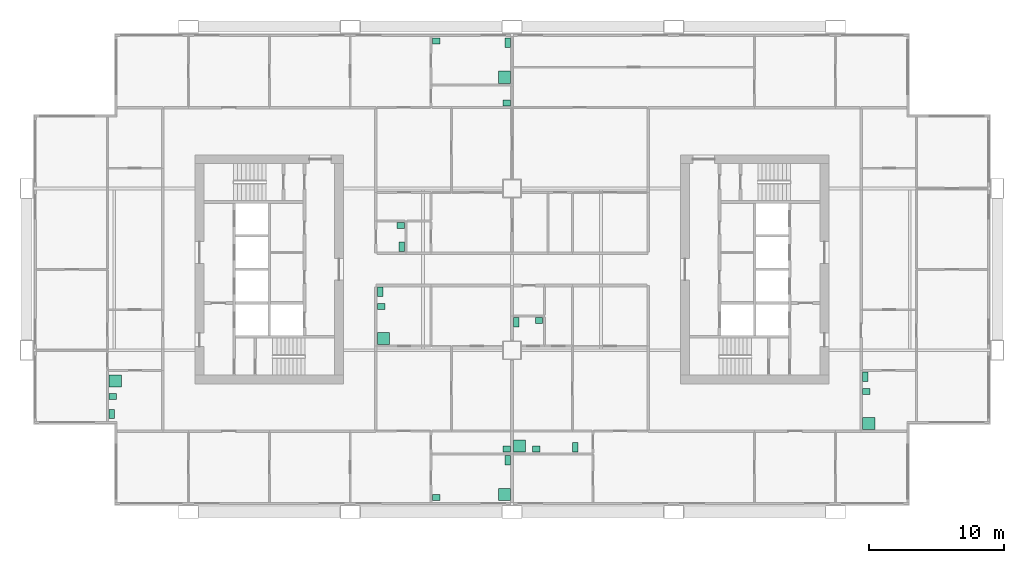
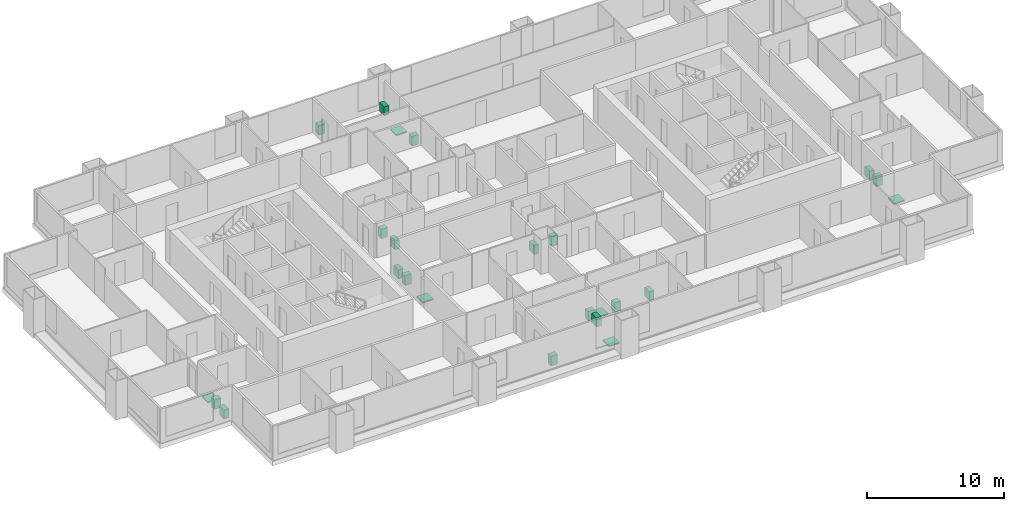
# One storey, part 11 of 11: 24 sanitary terminals.
"""IFC4 building model written with IfcOpenShell, lengths in metres."""

from ifc_helpers import new_model, si_unit, direction, frame, origin, origin_2d, place, context, subcontext, project, spatial, rectangle, extrude, material, type_object, element, save


model = new_model("IFC4")

# Units and contexts
model_context = context("Model", 3, precision=1e-05, world=origin(), true_north=direction((0.0, 1.0)))
body_context = subcontext(model_context, "Body", "Model", "MODEL_VIEW")
ifc_project = project(units=[si_unit("LENGTHUNIT", "METRE"), si_unit("AREAUNIT", "SQUARE_METRE"), si_unit("VOLUMEUNIT", "CUBIC_METRE"), si_unit("PLANEANGLEUNIT", "RADIAN"), si_unit("MASSUNIT", "GRAM", prefix="KILO")], contexts=[model_context])

# Site, building, storey
site_placement = place(None, origin())
site = spatial("IfcSite", under=ifc_project, at=site_placement, CompositionType="ELEMENT")
building_placement = place(site_placement, origin())
building = spatial("IfcBuilding", under=site, at=building_placement, Name="Kitamizu Gate Tower and Museum", CompositionType="ELEMENT")
storey_placement = place(building_placement, frame((0.0, 0.0, 100.050048828125)))
storey = spatial("IfcBuildingStorey", under=building, at=storey_placement, Name="L25", CompositionType="ELEMENT", Elevation=100.050048828125)

# Sanitary terminals
ifc_material_1 = material(Name="Acrylic")
sanitary_terminal_type_1 = type_object("IfcSanitaryTerminalType", Name="Shower tray", PredefinedType="SHOWER", material=ifc_material_1)
for number, where, z_axis, x_axis, name in (
    (1, (35.429931640625, 13.2900390625, 0.0009765625), (0.0, 0.0, 1.0), (1.0, 0.0, 0.0), "Shower tray En-suite bathroom and WC 25A"),
    (2, (26.469970703125, 24.8701171875, 0.0009765625), (0.0, 0.0, 1.0), (1.0, 0.0, 0.0), "Shower tray En-suite bathroom 25A"),
    (3, (6.570068359375, 21.72998046875, 0.0009765625), (0.0, 0.0, 1.0), (1.0, 0.0, 0.0), "Shower tray En-suite bathroom and WC 25B"),
    (4, (36.570068359375, 16.889892578125, 0.0009765625), (0.0, 0.0, 1.0), (1.0, 0.0, 0.0), "Shower tray En-suite bathroom 25C"),
    (5, (62.469970703125, 18.570068359375, 0.0009765625), (0.0, 0.0, 1.0), (1.0, 0.0, 0.0), "Shower tray En-suite bathroom and WC 25D"),
    (6, (35.429931640625, 44.25, 0.0009765625), (0.0, 0.0, 1.0), (1.0, 0.0, 0.0), "Shower tray En-suite bathroom 25E"),
):
    element("IfcSanitaryTerminal", number, at=place(storey_placement, frame(where, z_axis=z_axis, x_axis=x_axis)), inside=storey, type_object=sanitary_terminal_type_1, Name=name, PredefinedType="SHOWER", context=body_context, shape_type="SweptSolid", body=[
        extrude(rectangle(XDim=0.89990234375, YDim=0.89990234375, at=origin_2d()), origin(), (0.0, 0.0, 1.0), 0.10009765625),
    ])
ifc_material_2 = material(Name="Vitreous china")
sanitary_terminal_type_2 = type_object("IfcSanitaryTerminalType", Name="Wash hand basin", PredefinedType="WASHHANDBASIN", material=ifc_material_2)
for number, where, z_axis, x_axis, name in (
    (7, (30.39501953125, 13.06494140625, 0.0009765625), (0.0, 0.0, 1.0), (1.0, 0.0, 0.0), "Wash hand basin En-suite bathroom and WC 25A"),
    (8, (35.60498046875, 16.6650390625, 0.0009765625), (0.0, 0.0, 1.0), (1.0, 0.0, 0.0), "Wash hand basin Wash room 25A"),
    (9, (26.294921875, 27.2548828125, 0.0009765625), (0.0, 0.0, 1.0), (1.0, 0.0, 0.0), "Wash hand basin En-suite bathroom 25A"),
    (10, (6.39501953125, 20.554931640625, 0.0009765625), (0.0, 0.0, 1.0), (1.0, 0.0, 0.0), "Wash hand basin En-suite bathroom and WC 25B"),
    (11, (37.794921875, 16.6650390625, 0.0009765625), (0.0, 0.0, 1.0), (1.0, 0.0, 0.0), "Wash hand basin En-suite bathroom 25C"),
    (12, (38.0048828125, 26.205078125, 0.0009765625), (0.0, 0.0, 1.0), (1.0, 0.0, 0.0), "Wash hand basin WC 25C"),
    (13, (62.294921875, 20.955078125, 0.0009765625), (0.0, 0.0, 1.0), (1.0, 0.0, 0.0), "Wash hand basin En-suite bathroom and WC 25D"),
    (14, (30.39501953125, 46.93505859375, 0.0009765625), (0.0, 0.0, 1.0), (1.0, 0.0, 0.0), "Wash hand basin En-suite bathroom 25E"),
    (15, (35.60498046875, 42.344970703125, 0.0009765625), (0.0, 0.0, 1.0), (1.0, 0.0, 0.0), "Wash hand basin Wash room 25E"),
    (16, (27.7548828125, 33.2548828125, 0.0009765625), (0.0, 0.0, 1.0), (1.0, 0.0, 0.0), "Wash hand basin WC 25E"),
):
    element("IfcSanitaryTerminal", number, at=place(storey_placement, frame(where, z_axis=z_axis, x_axis=x_axis)), inside=storey, type_object=sanitary_terminal_type_2, Name=name, PredefinedType="WASHHANDBASIN", context=body_context, shape_type="SweptSolid", body=[
        extrude(rectangle(XDim=0.550048828125, YDim=0.449951171875, at=origin_2d()), origin(), (0.0, 0.0, 1.0), 0.85009765625),
    ])
ifc_material_3 = material(Name="Vitreous china")
sanitary_terminal_type_3 = type_object("IfcSanitaryTerminalType", Name="Water closet", PredefinedType="TOILETPAN", material=ifc_material_3)
for number, where, z_axis, x_axis, name in (
    (17, (35.679931640625, 15.85009765625, 0.0009765625), (0.0, 0.0, 1.0), (1.0, 0.0, 0.0), "Water closet En-suite bathroom and WC 25A"),
    (18, (26.219970703125, 28.330078125, 0.0009765625), (0.0, 0.0, 1.0), (1.0, 0.0, 0.0), "Water closet En-suite bathroom 25A"),
    (19, (6.320068359375, 19.27001953125, 0.0009765625), (0.0, 0.0, 1.0), (1.0, 0.0, 0.0), "Water closet En-suite bathroom and WC 25B"),
    (20, (40.679931640625, 16.7900390625, 0.0009765625), (0.0, 0.0, 1.0), (1.0, 0.0, 0.0), "Water closet En-suite bathroom 25C"),
    (21, (36.320068359375, 26.080078125, 0.0009765625), (0.0, 0.0, 1.0), (1.0, 0.0, 0.0), "Water closet WC 25C"),
    (22, (62.219970703125, 22.030029296875, 0.0009765625), (0.0, 0.0, 1.0), (1.0, 0.0, 0.0), "Water closet En-suite bathroom and WC 25D"),
    (23, (35.679931640625, 46.81005859375, 0.0009765625), (0.0, 0.0, 1.0), (1.0, 0.0, 0.0), "Water closet En-suite bathroom 25E"),
    (24, (27.830078125, 31.669921875, 0.0009765625), (0.0, 0.0, 1.0), (1.0, 0.0, 0.0), "Water closet WC 25E"),
):
    element("IfcSanitaryTerminal", number, at=place(storey_placement, frame(where, z_axis=z_axis, x_axis=x_axis)), inside=storey, type_object=sanitary_terminal_type_3, Name=name, PredefinedType="TOILETPAN", context=body_context, shape_type="SweptSolid", body=[
        extrude(rectangle(XDim=0.39990234375, YDim=0.699951171875, at=origin_2d()), origin(), (0.0, 0.0, 1.0), 0.800048828125),
    ])

save(model, "model.ifc")
